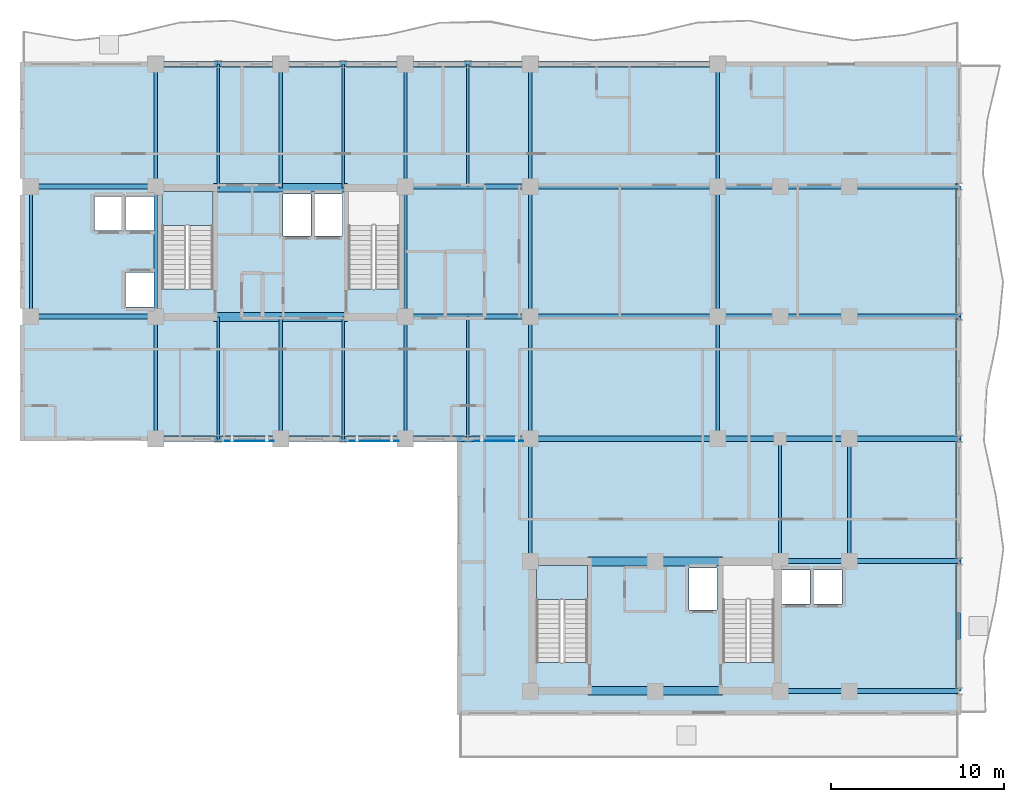
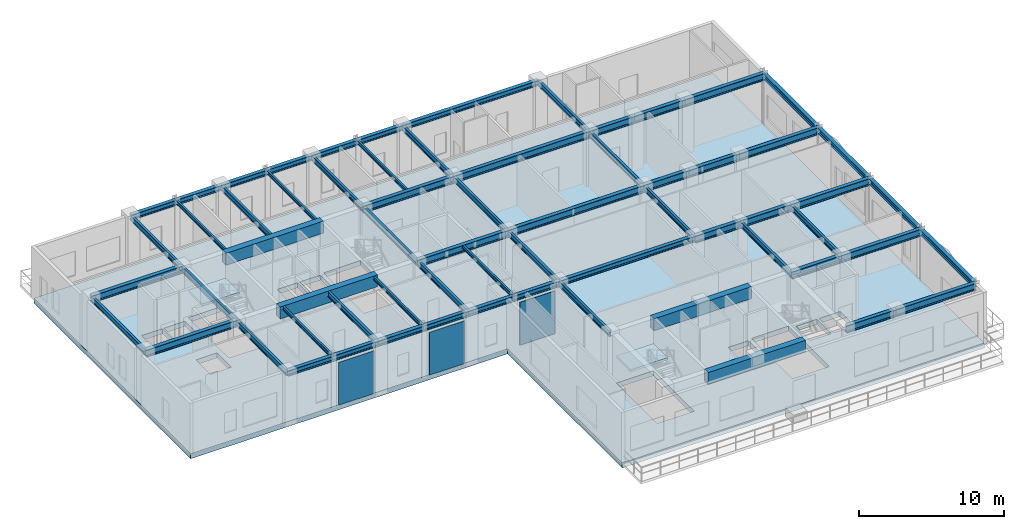
# One storey, part 4 of 14: 65 beams, 3 plates, 3 slabs, 2 elements without a shape of their own.
"""IFC4 building model written with IfcOpenShell, lengths in metres."""

import ifcopenshell
import ifcopenshell.guid

model = None  # the IFC model being written
_history = None  # IfcOwnerHistory: only IFC2X3 demands one
_inside = {}  # id of a spatial element -> (the spatial element, [elements in it])
_under = {}  # id of a project, library or spatial element -> (it, [spatial elements below it])
_declared = {}  # id of a project -> (the project, [libraries it declares])
_typed = {}  # id of a type object -> (the type object, [elements of that type])
_made_of = {}  # id of a material, layer set ... -> (it, [elements and type objects made of it])


def new_model(schema):
    """Start an empty IFC model of exactly this schema.

    Asked for "IFC4X3", IfcOpenShell would pick the latest addendum, in which some entities
    have other attributes; the version numbers below select the first issue.
    IFC2X3 requires an IfcOwnerHistory on every rooted entity: one is made here for all.
    """
    global model, _history
    if schema == "IFC4X3":
        model = ifcopenshell.file(schema_version=(4, 3, 0, 0))
    else:
        model = ifcopenshell.file(schema=schema)
    _inside.clear()
    _under.clear()
    _declared.clear()
    _typed.clear()
    _made_of.clear()
    _history = None
    if model.schema == "IFC2X3":
        org = make("IfcOrganization", Name="unknown")
        user = make(
            "IfcPersonAndOrganization",
            ThePerson=make("IfcPerson", FamilyName="unknown"),
            TheOrganization=org,
        )
        app = make(
            "IfcApplication",
            ApplicationDeveloper=org,
            Version="unknown",
            ApplicationFullName="unknown",
            ApplicationIdentifier="unknown",
        )
        _history = make(
            "IfcOwnerHistory",
            OwningUser=user,
            OwningApplication=app,
            ChangeAction="ADDED",
            CreationDate=0,
        )
    return model


def make(cls, **values):
    """One entity of the class cls with the attributes given. An attribute that is None is left unset."""
    return model.create_entity(
        cls, **{name: value for name, value in values.items() if value is not None}
    )


def rooted(cls, **values):
    """An entity with a GlobalId (a new one), such as an element, a storey or a relation."""
    return make(cls, GlobalId=ifcopenshell.guid.new(), OwnerHistory=_history, **values)


def si_unit(unit_type, name, prefix=None):
    """IfcSIUnit, for example si_unit("LENGTHUNIT", "METRE", prefix="MILLI")."""
    return make("IfcSIUnit", UnitType=unit_type, Prefix=prefix, Name=name)


def assignment(units):
    """IfcUnitAssignment: the units of a project."""
    return None if units is None else make("IfcUnitAssignment", Units=units)


def point(xyz):
    """IfcCartesianPoint."""
    return None if xyz is None else make("IfcCartesianPoint", Coordinates=xyz)


def direction(xyz):
    """IfcDirection."""
    return None if xyz is None else make("IfcDirection", DirectionRatios=xyz)


def frame(location, z_axis=None, x_axis=None):
    """IfcAxis2Placement3D, a coordinate frame: its origin and axes. An axis left out is left unset."""
    return make(
        "IfcAxis2Placement3D",
        Location=point(location),
        Axis=direction(z_axis),
        RefDirection=direction(x_axis),
    )


def frame_2d(location, x_axis=None):
    """IfcAxis2Placement2D, a coordinate frame in the plane: its origin and x axis."""
    return make(
        "IfcAxis2Placement2D", Location=point(location), RefDirection=direction(x_axis)
    )


def origin():
    """The frame at (0, 0, 0) with its axes left unset."""
    return frame((0.0, 0.0, 0.0))


def origin_2d():
    """The frame at (0, 0) in the plane with its x axis left unset."""
    return frame_2d((0.0, 0.0))


def place(relative_to, where):
    """IfcLocalPlacement: puts the frame where relative to a parent placement (None: the world)."""
    return make(
        "IfcLocalPlacement", PlacementRelTo=relative_to, RelativePlacement=where
    )


def context(
    kind, dimensions, precision=None, world=None, true_north=None, identifier=None
):
    """IfcGeometricRepresentationContext, for example the 3D "Model" context."""
    return make(
        "IfcGeometricRepresentationContext",
        ContextIdentifier=identifier,
        ContextType=kind,
        CoordinateSpaceDimension=dimensions,
        Precision=precision,
        WorldCoordinateSystem=world,
        TrueNorth=true_north,
    )


def subcontext(parent, identifier, kind, view, scale=None):
    """IfcGeometricRepresentationSubContext, for example "Body" below "Model"."""
    return make(
        "IfcGeometricRepresentationSubContext",
        ContextIdentifier=identifier,
        ContextType=kind,
        ParentContext=parent,
        TargetScale=scale,
        TargetView=view,
    )


def project(units=None, contexts=None):
    """IfcProject with its units and contexts."""
    return rooted(
        "IfcProject",
        Name="project",
        RepresentationContexts=contexts,
        UnitsInContext=assignment(units),
    )


def spatial(cls, under=None, at=None, **own):
    """A site, building, storey or space (cls), placed at a placement, below another one or the project."""
    s = rooted(cls, ObjectPlacement=at, **own)
    if under is not None:
        _under.setdefault(under.id(), (under, []))[1].append(s)
    return s


def polyline(points):
    """IfcPolyline through the points."""
    return make("IfcPolyline", Points=[point(p) for p in points])


def profile(cls, at=None, kind="AREA", **sizes):
    """A parametric profile (cls). Its sizes go by their IFC names, for example OverallWidth=200.0."""
    return make(cls, ProfileType=kind, Position=at, **sizes)


def rectangle(**sizes):
    """IfcRectangleProfileDef."""
    return profile("IfcRectangleProfileDef", **sizes)


def i_section(**sizes):
    """IfcIShapeProfileDef."""
    return profile("IfcIShapeProfileDef", **sizes)


def outline(outer, holes=None, kind="AREA"):
    """IfcArbitraryClosedProfileDef: a profile drawn as a closed curve; with holes, ...WithVoids."""
    if holes is None:
        return make("IfcArbitraryClosedProfileDef", ProfileType=kind, OuterCurve=outer)
    return make(
        "IfcArbitraryProfileDefWithVoids",
        ProfileType=kind,
        OuterCurve=outer,
        InnerCurves=holes,
    )


def extrude(swept, where, along, depth):
    """IfcExtrudedAreaSolid: the profile swept, set in the frame where, extruded along a direction by depth."""
    return make(
        "IfcExtrudedAreaSolid",
        SweptArea=swept,
        Position=where,
        ExtrudedDirection=direction(along),
        Depth=depth,
    )


def shape(context_of_items, identifier, shape_type, items):
    """IfcShapeRepresentation: the items that make up one representation, for example the "Body"."""
    return make(
        "IfcShapeRepresentation",
        ContextOfItems=context_of_items,
        RepresentationIdentifier=identifier,
        RepresentationType=shape_type,
        Items=items,
    )


def source(mapping_origin, context_of_items, identifier, shape_type, items):
    """IfcRepresentationMap: a shape defined once, which mapped items show again and again."""
    return make(
        "IfcRepresentationMap",
        MappingOrigin=mapping_origin,
        MappedRepresentation=shape(context_of_items, identifier, shape_type, items),
    )


def transform(
    local_origin,
    x_axis=None,
    y_axis=None,
    z_axis=None,
    scale=None,
    scale2=None,
    scale3=None,
    uniform=True,
):
    """IfcCartesianTransformationOperator3D, or its non-uniform kind. x_axis, y_axis, z_axis: its Axis1, 2, 3."""
    if uniform:
        return make(
            "IfcCartesianTransformationOperator3D",
            Axis1=direction(x_axis),
            Axis2=direction(y_axis),
            LocalOrigin=point(local_origin),
            Scale=scale,
            Axis3=direction(z_axis),
        )
    return make(
        "IfcCartesianTransformationOperator3DnonUniform",
        Axis1=direction(x_axis),
        Axis2=direction(y_axis),
        LocalOrigin=point(local_origin),
        Scale=scale,
        Axis3=direction(z_axis),
        Scale2=scale2,
        Scale3=scale3,
    )


def mapped(mapping_source, mapping_target):
    """IfcMappedItem: shows the shape of a source again, moved by a transform."""
    return make(
        "IfcMappedItem", MappingSource=mapping_source, MappingTarget=mapping_target
    )


def material(Name=None, Category=None):
    """IfcMaterial."""
    return make("IfcMaterial", Name=Name, Category=Category)


def layer(
    of_material, thickness, ventilated=None, Name=None, Category=None, Priority=None
):
    """IfcMaterialLayer: one layer of a wall or slab, of a material (None: an air gap)."""
    return make(
        "IfcMaterialLayer",
        Material=of_material,
        LayerThickness=thickness,
        IsVentilated=ventilated,
        Name=Name,
        Category=Category,
        Priority=Priority,
    )


def layer_set(layers, Name=None):
    """IfcMaterialLayerSet."""
    return make("IfcMaterialLayerSet", MaterialLayers=layers, LayerSetName=Name)


def material_profile(
    of_material, cross_section, Name=None, Category=None, Priority=None
):
    """IfcMaterialProfile: a cross section and its material."""
    return make(
        "IfcMaterialProfile",
        Name=Name,
        Material=of_material,
        Profile=cross_section,
        Priority=Priority,
        Category=Category,
    )


def profile_set(profiles, Name=None, composite=None):
    """IfcMaterialProfileSet."""
    return make(
        "IfcMaterialProfileSet",
        Name=Name,
        MaterialProfiles=profiles,
        CompositeProfile=composite,
    )


def made_of(thing, what):
    """Note that an element or type object is made of a material, layer set ...; save() writes the relation."""
    if what is not None:
        _made_of.setdefault(what.id(), (what, []))[1].append(thing)
    return thing


def type_object(cls, material=None, **own):
    """A type object (cls), such as IfcWallType, which elements share."""
    return made_of(rooted(cls, **own), material)


def element(
    cls,
    number,
    at=None,
    inside=None,
    cuts=None,
    type_object=None,
    material=None,
    context=None,
    identifier="Body",
    shape_type=None,
    held_by="IfcProductDefinitionShape",
    body=None,
    shapes=None,
    **own,
):
    """One element of the class cls, such as IfcWall. Its Tag is "e" and its number.

    at: its placement. inside: the storey or other place that contains it. cuts: it is an
    opening in that element (IfcRelVoidsElement). A single representation is given by context,
    identifier, shape_type and body (its items); several are given by shapes. held_by: the class
    of the entity that holds the representations. save() writes the other relations.
    """
    e = rooted(cls, Tag="e%d" % number, ObjectPlacement=at, **own)
    if body is not None:
        shapes = [shape(context, identifier, shape_type, body)]
    if shapes is not None:
        e.Representation = make(held_by, Representations=shapes)
    if inside is not None:
        _inside.setdefault(inside.id(), (inside, []))[1].append(e)
    if cuts is not None:
        rooted(
            "IfcRelVoidsElement", RelatingBuildingElement=cuts, RelatedOpeningElement=e
        )
    if type_object is not None:
        _typed.setdefault(type_object.id(), (type_object, []))[1].append(e)
    return made_of(e, material)


def aggregate(whole, parts):
    """IfcRelAggregates: a whole, such as a stair, and the parts it consists of."""
    return rooted("IfcRelAggregates", RelatingObject=whole, RelatedObjects=parts)


def save(model, path):
    """Write the relations noted so far, then the file.

    IfcRelAggregates (storeys below a building ...), IfcRelContainedInSpatialStructure (elements
    in a storey), IfcRelDefinesByType, IfcRelAssociatesMaterial and IfcRelDeclares: one each for
    every whole, place, type object, material and project.
    """
    for whole, parts in _under.values():
        aggregate(whole, parts)
    for where, things in _inside.values():
        rooted(
            "IfcRelContainedInSpatialStructure",
            RelatedElements=things,
            RelatingStructure=where,
        )
    for kind, things in _typed.values():
        rooted("IfcRelDefinesByType", RelatedObjects=things, RelatingType=kind)
    for what, things in _made_of.values():
        rooted("IfcRelAssociatesMaterial", RelatedObjects=things, RelatingMaterial=what)
    for by, libraries in _declared.values():
        rooted("IfcRelDeclares", RelatingContext=by, RelatedDefinitions=libraries)
    model.write(path)


model = new_model("IFC4")

# Units and contexts
model_context = context("Model", 3, precision=1e-05, world=origin(), true_north=direction((0.0, 1.0)))
body_context = subcontext(model_context, "Body", "Model", "MODEL_VIEW")
ifc_project = project(units=[si_unit("LENGTHUNIT", "METRE"), si_unit("AREAUNIT", "SQUARE_METRE"), si_unit("VOLUMEUNIT", "CUBIC_METRE"), si_unit("PLANEANGLEUNIT", "RADIAN"), si_unit("MASSUNIT", "GRAM", prefix="KILO")], contexts=[model_context])

# Site, building, storey
site_placement = place(None, origin())
site = spatial("IfcSite", under=ifc_project, at=site_placement, CompositionType="ELEMENT")
building_placement = place(site_placement, origin())
building = spatial("IfcBuilding", under=site, at=building_placement, Name="Kaliganga Portal Commons", CompositionType="ELEMENT")
storey_placement = place(building_placement, frame((0.0, 0.0, 197.199951171875)))
storey = spatial("IfcBuildingStorey", under=building, at=storey_placement, Name="L50", CompositionType="ELEMENT", Elevation=197.199951171875)

# Beams
ifc_material_1 = material(Name="Concrete C50/60", Category="concrete")
ifc_material_profile_1 = material_profile(ifc_material_1, rectangle(XDim=0.5, YDim=1.0, at=origin_2d()), Name="RC 500x1000")
ifc_profile_set_1 = profile_set([ifc_material_profile_1], Name="Concrete C50/60")
beam_type_1 = type_object("IfcBeamType", Name="BM-CPL-1000", PredefinedType="LINTEL", material=ifc_profile_set_1)
shared_shape_1 = source(origin(), body_context, "Body", "SweptSolid", [
    extrude(rectangle(XDim=0.5, YDim=1.0, at=origin_2d()), origin(), (0.0, 0.0, 1.0), 7.739990234375),
])
for number, where, z_axis, x_axis, name in (
    (1, (17.72998046875, 28.625, 3.8701171875), (1.0, 0.0, 0.0), (0.0, 1.0, 0.0), "BM CPL COREA L50 S"),
    (2, (17.72998046875, 36.074951171875, 3.8701171875), (1.0, 0.0, 0.0), (0.0, 1.0, 0.0), "BM CPL COREA L50 N"),
    (3, (39.330078125, 7.074951171875, 3.8701171875), (1.0, 0.0, 0.0), (0.0, 1.0, 0.0), "BM CPL COREB L50 S"),
    (4, (39.330078125, 14.52490234375, 3.8701171875), (1.0, 0.0, 0.0), (0.0, 1.0, 0.0), "BM CPL COREB L50 N"),
):
    element("IfcBeam", number, at=place(storey_placement, frame(where, z_axis=z_axis, x_axis=x_axis)), inside=storey, type_object=beam_type_1, Name=name, PredefinedType="LINTEL", context=body_context, shape_type="MappedRepresentation", body=[
        mapped(shared_shape_1, transform((0.0, 0.0, 0.0), x_axis=(1.0, 0.0, 0.0), y_axis=(0.0, 1.0, 0.0), z_axis=(0.0, 0.0, 1.0), scale=1.0)),
    ])
ifc_material_2 = material(Name="Structural steel S355J2", Category="steel")
ifc_material_profile_2 = material_profile(ifc_material_2, i_section(OverallWidth=0.300048828125, OverallDepth=0.449951171875, WebThickness=0.013916015625, FlangeThickness=0.02587890625, FilletRadius=0.027099609375, at=origin_2d()), Name="HE 450 B")
ifc_profile_set_2 = profile_set([ifc_material_profile_2], Name="Structural steel S355J2 wide-flange")
beam_type_2 = type_object("IfcBeamType", Name="BM-SPAND-450", PredefinedType="SPANDREL", material=ifc_profile_set_2)
shared_shape_2 = source(origin(), body_context, "Body", "SweptSolid", [
    extrude(i_section(OverallWidth=0.300048828125, OverallDepth=0.449951171875, WebThickness=0.013916015625, FlangeThickness=0.02587890625, FilletRadius=0.027099609375, at=origin_2d()), origin(), (0.0, 0.0, 1.0), 3.60009765625),
])
for number, where, z_axis, x_axis, name in (
    (5, (14.39990234375, 43.199951171875, 4.14501953125), (1.0, 0.0, 0.0), (0.0, 1.0, 0.0), "BM SP L50 AN 1"),
    (6, (18.0, 43.199951171875, 4.14501953125), (1.0, 0.0, 0.0), (0.0, 1.0, 0.0), "BM SP L50 AN 2"),
    (7, (25.199951171875, 43.199951171875, 4.14501953125), (1.0, 0.0, 0.0), (0.0, 1.0, 0.0), "BM SP L50 AN 4"),
    (8, (32.39990234375, 43.199951171875, 4.14501953125), (1.0, 0.0, 0.0), (0.0, 1.0, 0.0), "BM SP L50 AN 6"),
    (9, (14.39990234375, 21.60009765625, 4.14501953125), (1.0, 0.0, 0.0), (0.0, 1.0, 0.0), "BM SP L50 AS 1"),
    (10, (18.0, 21.60009765625, 4.14501953125), (1.0, 0.0, 0.0), (0.0, 1.0, 0.0), "BM SP L50 AS 2"),
    (11, (25.199951171875, 21.60009765625, 4.14501953125), (1.0, 0.0, 0.0), (0.0, 1.0, 0.0), "BM SP L50 AS 4"),
    (12, (32.39990234375, 21.60009765625, 4.14501953125), (1.0, 0.0, 0.0), (0.0, 1.0, 0.0), "BM SP L50 AS 6"),
):
    element("IfcBeam", number, at=place(storey_placement, frame(where, z_axis=z_axis, x_axis=x_axis)), inside=storey, type_object=beam_type_2, Name=name, PredefinedType="SPANDREL", context=body_context, shape_type="MappedRepresentation", body=[
        mapped(shared_shape_2, transform((0.0, 0.0, 0.0), x_axis=(1.0, 0.0, 0.0), y_axis=(0.0, 1.0, 0.0), z_axis=(0.0, 0.0, 1.0), scale=1.0)),
    ])
shared_shape_3 = source(origin(), body_context, "Body", "SweptSolid", [
    extrude(i_section(OverallWidth=0.300048828125, OverallDepth=0.449951171875, WebThickness=0.013916015625, FlangeThickness=0.02587890625, FilletRadius=0.027099609375, at=origin_2d()), origin(), (0.0, 0.0, 1.0), 3.599853515625),
])
for number, where, z_axis, x_axis, name in (
    (13, (21.60009765625, 43.199951171875, 4.14501953125), (1.0, 0.0, 0.0), (0.0, 1.0, 0.0), "BM SP L50 AN 3"),
    (14, (28.800048828125, 43.199951171875, 4.14501953125), (1.0, 0.0, 0.0), (0.0, 1.0, 0.0), "BM SP L50 AN 5"),
    (15, (21.60009765625, 21.60009765625, 4.14501953125), (1.0, 0.0, 0.0), (0.0, 1.0, 0.0), "BM SP L50 AS 3"),
    (16, (28.800048828125, 21.60009765625, 4.14501953125), (1.0, 0.0, 0.0), (0.0, 1.0, 0.0), "BM SP L50 AS 5"),
):
    element("IfcBeam", number, at=place(storey_placement, frame(where, z_axis=z_axis, x_axis=x_axis)), inside=storey, type_object=beam_type_2, Name=name, PredefinedType="SPANDREL", context=body_context, shape_type="MappedRepresentation", body=[
        mapped(shared_shape_3, transform((0.0, 0.0, 0.0), x_axis=(1.0, 0.0, 0.0), y_axis=(0.0, 1.0, 0.0), z_axis=(0.0, 0.0, 1.0), scale=1.0)),
    ])
shared_shape_4 = source(origin(), body_context, "Body", "SweptSolid", [
    extrude(i_section(OverallWidth=0.300048828125, OverallDepth=0.449951171875, WebThickness=0.013916015625, FlangeThickness=0.02587890625, FilletRadius=0.027099609375, at=origin_2d()), origin(), (0.0, 0.0, 1.0), 10.800048828125),
])
for number, where, z_axis, x_axis, name in (
    (17, (36.0, 43.199951171875, 4.14501953125), (1.0, 0.0, 0.0), (0.0, 1.0, 0.0), "BM SP L50 AN 7"),
    (18, (36.0, 21.60009765625, 4.14501953125), (1.0, 0.0, 0.0), (0.0, 1.0, 0.0), "BM SP L50 AS 7"),
):
    element("IfcBeam", number, at=place(storey_placement, frame(where, z_axis=z_axis, x_axis=x_axis)), inside=storey, type_object=beam_type_2, Name=name, PredefinedType="SPANDREL", context=body_context, shape_type="MappedRepresentation", body=[
        mapped(shared_shape_4, transform((0.0, 0.0, 0.0), x_axis=(1.0, 0.0, 0.0), y_axis=(0.0, 1.0, 0.0), z_axis=(0.0, 0.0, 1.0), scale=1.0)),
    ])
shared_shape_5 = source(origin(), body_context, "Body", "SweptSolid", [
    extrude(i_section(OverallWidth=0.300048828125, OverallDepth=0.449951171875, WebThickness=0.013916015625, FlangeThickness=0.02587890625, FilletRadius=0.027099609375, at=origin_2d()), origin(), (0.0, 0.0, 1.0), 7.5),
])
for number, where, z_axis, x_axis, name in (
    (19, (60.699951171875, 7.050048828125, 4.14501953125), (0.0, 1.0, 0.0), (-1.0, 0.0, 0.0), "BM SP L50 BE 1"),
    (20, (60.699951171875, 28.64990234375, 4.14501953125), (0.0, 1.0, 0.0), (-1.0, 0.0, 0.0), "BM SP L50 BE 4"),
):
    element("IfcBeam", number, at=place(storey_placement, frame(where, z_axis=z_axis, x_axis=x_axis)), inside=storey, type_object=beam_type_2, Name=name, PredefinedType="SPANDREL", context=body_context, shape_type="MappedRepresentation", body=[
        mapped(shared_shape_5, transform((0.0, 0.0, 0.0), x_axis=(1.0, 0.0, 0.0), y_axis=(0.0, 1.0, 0.0), z_axis=(0.0, 0.0, 1.0), scale=1.0)),
    ])
shared_shape_6 = source(origin(), body_context, "Body", "SweptSolid", [
    extrude(i_section(OverallWidth=0.300048828125, OverallDepth=0.449951171875, WebThickness=0.013916015625, FlangeThickness=0.02587890625, FilletRadius=0.027099609375, at=origin_2d()), origin(), (0.0, 0.0, 1.0), 7.050048828125),
])
beam_1_placement = place(storey_placement, frame((60.699951171875, 14.550048828125, 4.14501953125), z_axis=(0.0, 1.0, 0.0), x_axis=(-1.0, 0.0, 0.0)))
element("IfcBeam", 21, at=beam_1_placement, inside=storey, type_object=beam_type_2, Name="BM SP L50 BE 2", PredefinedType="SPANDREL", context=body_context, shape_type="MappedRepresentation", body=[
    mapped(shared_shape_6, transform((0.0, 0.0, 0.0), x_axis=(1.0, 0.0, 0.0), y_axis=(0.0, 1.0, 0.0), z_axis=(0.0, 0.0, 1.0), scale=1.0)),
])
shared_shape_7 = source(origin(), body_context, "Body", "SweptSolid", [
    extrude(i_section(OverallWidth=0.300048828125, OverallDepth=0.449951171875, WebThickness=0.013916015625, FlangeThickness=0.02587890625, FilletRadius=0.027099609375, at=origin_2d()), origin(), (0.0, 0.0, 1.0), 7.0498046875),
])
beam_2_placement = place(storey_placement, frame((60.699951171875, 21.60009765625, 4.14501953125), z_axis=(0.0, 1.0, 0.0), x_axis=(-1.0, 0.0, 0.0)))
element("IfcBeam", 22, at=beam_2_placement, inside=storey, type_object=beam_type_2, Name="BM SP L50 BE 3", PredefinedType="SPANDREL", context=body_context, shape_type="MappedRepresentation", body=[
    mapped(shared_shape_7, transform((0.0, 0.0, 0.0), x_axis=(1.0, 0.0, 0.0), y_axis=(0.0, 1.0, 0.0), z_axis=(0.0, 0.0, 1.0), scale=1.0)),
])
ifc_material_profile_3 = material_profile(ifc_material_2, i_section(OverallWidth=0.300048828125, OverallDepth=0.60009765625, WebThickness=0.015380859375, FlangeThickness=0.030029296875, FilletRadius=0.027099609375, at=origin_2d()), Name="HE 600 B")
ifc_profile_set_3 = profile_set([ifc_material_profile_3], Name="Structural steel S355J2 wide-flange")
beam_type_3 = type_object("IfcBeamType", Name="BM-GIRD-600", PredefinedType="USERDEFINED", material=ifc_profile_set_3)
shared_shape_8 = source(origin(), body_context, "Body", "SweptSolid", [
    extrude(i_section(OverallWidth=0.300048828125, OverallDepth=0.60009765625, WebThickness=0.015380859375, FlangeThickness=0.030029296875, FilletRadius=0.027099609375, at=origin_2d()), origin(), (0.0, 0.0, 1.0), 7.199951171875),
])
for number, where, z_axis, x_axis, name in (
    (23, (7.199951171875, 28.64990234375, 4.070068359375), (1.0, 0.0, 0.0), (0.0, 1.0, 0.0), "BM G L50 WAH_S 1"),
    (24, (7.199951171875, 36.14990234375, 4.070068359375), (1.0, 0.0, 0.0), (0.0, 1.0, 0.0), "BM G L50 WAH_N 1"),
    (25, (28.800048828125, 28.64990234375, 4.070068359375), (1.0, 0.0, 0.0), (0.0, 1.0, 0.0), "BM G L50 WAE_S 1"),
    (26, (28.800048828125, 36.14990234375, 4.070068359375), (1.0, 0.0, 0.0), (0.0, 1.0, 0.0), "BM G L50 WAE_N 1"),
):
    element("IfcBeam", number, at=place(storey_placement, frame(where, z_axis=z_axis, x_axis=x_axis)), inside=storey, type_object=beam_type_3, Name=name, ObjectType="GIRDER", PredefinedType="USERDEFINED", context=body_context, shape_type="MappedRepresentation", body=[
        mapped(shared_shape_8, transform((0.0, 0.0, 0.0), x_axis=(1.0, 0.0, 0.0), y_axis=(0.0, 1.0, 0.0), z_axis=(0.0, 0.0, 1.0), scale=1.0)),
    ])
shared_shape_9 = source(origin(), body_context, "Body", "SweptSolid", [
    extrude(i_section(OverallWidth=0.300048828125, OverallDepth=0.60009765625, WebThickness=0.015380859375, FlangeThickness=0.030029296875, FilletRadius=0.027099609375, at=origin_2d()), origin(), (0.0, 0.0, 1.0), 10.800048828125),
])
for number, where, z_axis, x_axis, name in (
    (27, (36.0, 28.64990234375, 4.070068359375), (1.0, 0.0, 0.0), (0.0, 1.0, 0.0), "BM G L50 WAE_S 2"),
    (28, (36.0, 36.14990234375, 4.070068359375), (1.0, 0.0, 0.0), (0.0, 1.0, 0.0), "BM G L50 WAE_N 2"),
):
    element("IfcBeam", number, at=place(storey_placement, frame(where, z_axis=z_axis, x_axis=x_axis)), inside=storey, type_object=beam_type_3, Name=name, ObjectType="GIRDER", PredefinedType="USERDEFINED", context=body_context, shape_type="MappedRepresentation", body=[
        mapped(shared_shape_9, transform((0.0, 0.0, 0.0), x_axis=(1.0, 0.0, 0.0), y_axis=(0.0, 1.0, 0.0), z_axis=(0.0, 0.0, 1.0), scale=1.0)),
    ])
shared_shape_10 = source(origin(), body_context, "Body", "SweptSolid", [
    extrude(i_section(OverallWidth=0.300048828125, OverallDepth=0.60009765625, WebThickness=0.015380859375, FlangeThickness=0.030029296875, FilletRadius=0.027099609375, at=origin_2d()), origin(), (0.0, 0.0, 1.0), 4.0),
])
for number, where, z_axis, x_axis, name in (
    (29, (50.39990234375, 7.050048828125, 4.070068359375), (1.0, 0.0, 0.0), (0.0, 1.0, 0.0), "BM G L50 BKE70 1"),
    (30, (50.39990234375, 14.550048828125, 4.070068359375), (1.0, 0.0, 0.0), (0.0, 1.0, 0.0), "BM G L50 BKE146 1"),
    (31, (50.39990234375, 21.60009765625, 4.070068359375), (1.0, 0.0, 0.0), (0.0, 1.0, 0.0), "BM G L50 BKE216 2"),
    (32, (50.39990234375, 28.64990234375, 4.070068359375), (1.0, 0.0, 0.0), (0.0, 1.0, 0.0), "BM G L50 BKE286 2"),
    (33, (50.39990234375, 36.14990234375, 4.070068359375), (1.0, 0.0, 0.0), (0.0, 1.0, 0.0), "BM G L50 BKE362 2"),
):
    element("IfcBeam", number, at=place(storey_placement, frame(where, z_axis=z_axis, x_axis=x_axis)), inside=storey, type_object=beam_type_3, Name=name, ObjectType="GIRDER", PredefinedType="USERDEFINED", context=body_context, shape_type="MappedRepresentation", body=[
        mapped(shared_shape_10, transform((0.0, 0.0, 0.0), x_axis=(1.0, 0.0, 0.0), y_axis=(0.0, 1.0, 0.0), z_axis=(0.0, 0.0, 1.0), scale=1.0)),
    ])
shared_shape_11 = source(origin(), body_context, "Body", "SweptSolid", [
    extrude(i_section(OverallWidth=0.300048828125, OverallDepth=0.60009765625, WebThickness=0.015380859375, FlangeThickness=0.030029296875, FilletRadius=0.027099609375, at=origin_2d()), origin(), (0.0, 0.0, 1.0), 3.599853515625),
])
for number, where, z_axis, x_axis, name in (
    (34, (46.800048828125, 21.60009765625, 4.070068359375), (1.0, 0.0, 0.0), (0.0, 1.0, 0.0), "BM G L50 BKE216 1"),
    (35, (46.800048828125, 28.64990234375, 4.070068359375), (1.0, 0.0, 0.0), (0.0, 1.0, 0.0), "BM G L50 BKE286 1"),
    (36, (46.800048828125, 36.14990234375, 4.070068359375), (1.0, 0.0, 0.0), (0.0, 1.0, 0.0), "BM G L50 BKE362 1"),
):
    element("IfcBeam", number, at=place(storey_placement, frame(where, z_axis=z_axis, x_axis=x_axis)), inside=storey, type_object=beam_type_3, Name=name, ObjectType="GIRDER", PredefinedType="USERDEFINED", context=body_context, shape_type="MappedRepresentation", body=[
        mapped(shared_shape_11, transform((0.0, 0.0, 0.0), x_axis=(1.0, 0.0, 0.0), y_axis=(0.0, 1.0, 0.0), z_axis=(0.0, 0.0, 1.0), scale=1.0)),
    ])
ifc_material_profile_4 = material_profile(ifc_material_2, i_section(OverallWidth=0.18994140625, OverallDepth=0.449951171875, WebThickness=0.009521484375, FlangeThickness=0.0146484375, FilletRadius=0.02099609375, at=origin_2d()), Name="IPE 450")
ifc_profile_set_4 = profile_set([ifc_material_profile_4], Name="Structural steel S355J2 wide-flange")
beam_type_4 = type_object("IfcBeamType", Name="BM-FLR-450", PredefinedType="BEAM", material=ifc_profile_set_4)
shared_shape_12 = source(origin(), body_context, "Body", "SweptSolid", [
    extrude(i_section(OverallWidth=0.18994140625, OverallDepth=0.449951171875, WebThickness=0.009521484375, FlangeThickness=0.0146484375, FilletRadius=0.02099609375, at=origin_2d()), origin(), (0.0, 0.0, 1.0), 7.5),
])
for number, where, z_axis, x_axis, name in (
    (37, (7.199951171875, 28.64990234375, 4.14501953125), (0.0, 1.0, 0.0), (-1.0, 0.0, 0.0), "BM G L50 AW72"),
    (38, (14.39990234375, 28.64990234375, 4.14501953125), (0.0, 1.0, 0.0), (-1.0, 0.0, 0.0), "BM G L50 AM144"),
    (39, (28.800048828125, 28.64990234375, 4.14501953125), (0.0, 1.0, 0.0), (-1.0, 0.0, 0.0), "BM G L50 AM288"),
    (40, (36.0, 28.64990234375, 4.14501953125), (0.0, 1.0, 0.0), (-1.0, 0.0, 0.0), "BM G L50 AM360"),
    (41, (46.800048828125, 28.64990234375, 4.14501953125), (0.0, 1.0, 0.0), (-1.0, 0.0, 0.0), "BM G L50 AM468"),
):
    element("IfcBeam", number, at=place(storey_placement, frame(where, z_axis=z_axis, x_axis=x_axis)), inside=storey, type_object=beam_type_4, Name=name, PredefinedType="BEAM", context=body_context, shape_type="MappedRepresentation", body=[
        mapped(shared_shape_12, transform((0.0, 0.0, 0.0), x_axis=(1.0, 0.0, 0.0), y_axis=(0.0, 1.0, 0.0), z_axis=(0.0, 0.0, 1.0), scale=1.0)),
    ])
shared_shape_13 = source(origin(), body_context, "Body", "SweptSolid", [
    extrude(i_section(OverallWidth=0.18994140625, OverallDepth=0.449951171875, WebThickness=0.009521484375, FlangeThickness=0.0146484375, FilletRadius=0.02099609375, at=origin_2d()), origin(), (0.0, 0.0, 1.0), 7.050048828125),
])
for number, where, z_axis, x_axis, name in (
    (42, (14.39990234375, 36.14990234375, 4.14501953125), (0.0, 1.0, 0.0), (-1.0, 0.0, 0.0), "BM G L50 AN144"),
    (43, (28.800048828125, 36.14990234375, 4.14501953125), (0.0, 1.0, 0.0), (-1.0, 0.0, 0.0), "BM G L50 AN288"),
    (44, (36.0, 36.14990234375, 4.14501953125), (0.0, 1.0, 0.0), (-1.0, 0.0, 0.0), "BM G L50 AN360"),
    (45, (46.800048828125, 36.14990234375, 4.14501953125), (0.0, 1.0, 0.0), (-1.0, 0.0, 0.0), "BM G L50 AN468"),
    (46, (36.0, 14.550048828125, 4.14501953125), (0.0, 1.0, 0.0), (-1.0, 0.0, 0.0), "BM G L50 BNK360"),
    (47, (50.39990234375, 14.550048828125, 4.14501953125), (0.0, 1.0, 0.0), (-1.0, 0.0, 0.0), "BM G L50 BNK504"),
    (48, (54.39990234375, 14.550048828125, 4.14501953125), (0.0, 1.0, 0.0), (-1.0, 0.0, 0.0), "BM G L50 BNK544"),
):
    element("IfcBeam", number, at=place(storey_placement, frame(where, z_axis=z_axis, x_axis=x_axis)), inside=storey, type_object=beam_type_4, Name=name, PredefinedType="BEAM", context=body_context, shape_type="MappedRepresentation", body=[
        mapped(shared_shape_13, transform((0.0, 0.0, 0.0), x_axis=(1.0, 0.0, 0.0), y_axis=(0.0, 1.0, 0.0), z_axis=(0.0, 0.0, 1.0), scale=1.0)),
    ])
shared_shape_14 = source(origin(), body_context, "Body", "SweptSolid", [
    extrude(i_section(OverallWidth=0.18994140625, OverallDepth=0.449951171875, WebThickness=0.009521484375, FlangeThickness=0.0146484375, FilletRadius=0.02099609375, at=origin_2d()), origin(), (0.0, 0.0, 1.0), 7.0498046875),
])
for number, where, z_axis, x_axis, name in (
    (49, (14.39990234375, 21.60009765625, 4.14501953125), (0.0, 1.0, 0.0), (-1.0, 0.0, 0.0), "BM G L50 AS144"),
    (50, (28.800048828125, 21.60009765625, 4.14501953125), (0.0, 1.0, 0.0), (-1.0, 0.0, 0.0), "BM G L50 AS288"),
    (51, (36.0, 21.60009765625, 4.14501953125), (0.0, 1.0, 0.0), (-1.0, 0.0, 0.0), "BM G L50 AS360"),
    (52, (46.800048828125, 21.60009765625, 4.14501953125), (0.0, 1.0, 0.0), (-1.0, 0.0, 0.0), "BM G L50 AS468"),
):
    element("IfcBeam", number, at=place(storey_placement, frame(where, z_axis=z_axis, x_axis=x_axis)), inside=storey, type_object=beam_type_4, Name=name, PredefinedType="BEAM", context=body_context, shape_type="MappedRepresentation", body=[
        mapped(shared_shape_14, transform((0.0, 0.0, 0.0), x_axis=(1.0, 0.0, 0.0), y_axis=(0.0, 1.0, 0.0), z_axis=(0.0, 0.0, 1.0), scale=1.0)),
    ])
ifc_material_profile_5 = material_profile(ifc_material_2, i_section(OverallWidth=0.14990234375, OverallDepth=0.300048828125, WebThickness=0.007080078125, FlangeThickness=0.0107421875, FilletRadius=0.014892578125, at=origin_2d()), Name="IPE 300")
ifc_profile_set_5 = profile_set([ifc_material_profile_5], Name="Structural steel S355J2 wide-flange")
beam_type_5 = type_object("IfcBeamType", Name="BM-JST-300", PredefinedType="JOIST", material=ifc_profile_set_5)
shared_shape_15 = source(origin(), body_context, "Body", "SweptSolid", [
    extrude(i_section(OverallWidth=0.14990234375, OverallDepth=0.300048828125, WebThickness=0.007080078125, FlangeThickness=0.0107421875, FilletRadius=0.014892578125, at=origin_2d()), origin(), (0.0, 0.0, 1.0), 7.125),
])
for number, where, z_axis, x_axis, name in (
    (53, (18.0, 36.074951171875, 4.219970703125), (0.0, 1.0, 0.0), (-1.0, 0.0, 0.0), "BM G L50 AN180"),
    (54, (25.199951171875, 36.074951171875, 4.219970703125), (0.0, 1.0, 0.0), (-1.0, 0.0, 0.0), "BM G L50 AN252"),
):
    element("IfcBeam", number, at=place(storey_placement, frame(where, z_axis=z_axis, x_axis=x_axis)), inside=storey, type_object=beam_type_5, Name=name, PredefinedType="JOIST", context=body_context, shape_type="MappedRepresentation", body=[
        mapped(shared_shape_15, transform((0.0, 0.0, 0.0), x_axis=(1.0, 0.0, 0.0), y_axis=(0.0, 1.0, 0.0), z_axis=(0.0, 0.0, 1.0), scale=1.0)),
    ])
shared_shape_16 = source(origin(), body_context, "Body", "SweptSolid", [
    extrude(i_section(OverallWidth=0.14990234375, OverallDepth=0.300048828125, WebThickness=0.007080078125, FlangeThickness=0.0107421875, FilletRadius=0.014892578125, at=origin_2d()), origin(), (0.0, 0.0, 1.0), 7.02490234375),
])
for number, where, z_axis, x_axis, name in (
    (55, (18.0, 21.60009765625, 4.219970703125), (0.0, 1.0, 0.0), (-1.0, 0.0, 0.0), "BM G L50 AS180"),
    (56, (25.199951171875, 21.60009765625, 4.219970703125), (0.0, 1.0, 0.0), (-1.0, 0.0, 0.0), "BM G L50 AS252"),
):
    element("IfcBeam", number, at=place(storey_placement, frame(where, z_axis=z_axis, x_axis=x_axis)), inside=storey, type_object=beam_type_5, Name=name, PredefinedType="JOIST", context=body_context, shape_type="MappedRepresentation", body=[
        mapped(shared_shape_16, transform((0.0, 0.0, 0.0), x_axis=(1.0, 0.0, 0.0), y_axis=(0.0, 1.0, 0.0), z_axis=(0.0, 0.0, 1.0), scale=1.0)),
    ])
shared_shape_17 = source(origin(), body_context, "Body", "SweptSolid", [
    extrude(i_section(OverallWidth=0.18994140625, OverallDepth=0.449951171875, WebThickness=0.009521484375, FlangeThickness=0.0146484375, FilletRadius=0.02099609375, at=origin_2d()), origin(), (0.0, 0.0, 1.0), 7.125),
])
beam_3_placement = place(storey_placement, frame((21.60009765625, 36.074951171875, 4.14501953125), z_axis=(0.0, 1.0, 0.0), x_axis=(-1.0, 0.0, 0.0)))
element("IfcBeam", 57, at=beam_3_placement, inside=storey, type_object=beam_type_4, Name="BM G L50 AN216", PredefinedType="BEAM", context=body_context, shape_type="MappedRepresentation", body=[
    mapped(shared_shape_17, transform((0.0, 0.0, 0.0), x_axis=(1.0, 0.0, 0.0), y_axis=(0.0, 1.0, 0.0), z_axis=(0.0, 0.0, 1.0), scale=1.0)),
])
shared_shape_18 = source(origin(), body_context, "Body", "SweptSolid", [
    extrude(i_section(OverallWidth=0.18994140625, OverallDepth=0.449951171875, WebThickness=0.009521484375, FlangeThickness=0.0146484375, FilletRadius=0.02099609375, at=origin_2d()), origin(), (0.0, 0.0, 1.0), 7.02490234375),
])
beam_4_placement = place(storey_placement, frame((21.60009765625, 21.60009765625, 4.14501953125), z_axis=(0.0, 1.0, 0.0), x_axis=(-1.0, 0.0, 0.0)))
element("IfcBeam", 58, at=beam_4_placement, inside=storey, type_object=beam_type_4, Name="BM G L50 AS216", PredefinedType="BEAM", context=body_context, shape_type="MappedRepresentation", body=[
    mapped(shared_shape_18, transform((0.0, 0.0, 0.0), x_axis=(1.0, 0.0, 0.0), y_axis=(0.0, 1.0, 0.0), z_axis=(0.0, 0.0, 1.0), scale=1.0)),
])
shared_shape_19 = source(origin(), body_context, "Body", "SweptSolid", [
    extrude(i_section(OverallWidth=0.14990234375, OverallDepth=0.300048828125, WebThickness=0.007080078125, FlangeThickness=0.0107421875, FilletRadius=0.014892578125, at=origin_2d()), origin(), (0.0, 0.0, 1.0), 7.050048828125),
])
beam_5_placement = place(storey_placement, frame((32.39990234375, 36.14990234375, 4.219970703125), z_axis=(0.0, 1.0, 0.0), x_axis=(-1.0, 0.0, 0.0)))
element("IfcBeam", 59, at=beam_5_placement, inside=storey, type_object=beam_type_5, Name="BM G L50 AN324", PredefinedType="JOIST", context=body_context, shape_type="MappedRepresentation", body=[
    mapped(shared_shape_19, transform((0.0, 0.0, 0.0), x_axis=(1.0, 0.0, 0.0), y_axis=(0.0, 1.0, 0.0), z_axis=(0.0, 0.0, 1.0), scale=1.0)),
])
shared_shape_20 = source(origin(), body_context, "Body", "SweptSolid", [
    extrude(i_section(OverallWidth=0.14990234375, OverallDepth=0.300048828125, WebThickness=0.007080078125, FlangeThickness=0.0107421875, FilletRadius=0.014892578125, at=origin_2d()), origin(), (0.0, 0.0, 1.0), 7.0498046875),
])
beam_6_placement = place(storey_placement, frame((32.39990234375, 21.60009765625, 4.219970703125), z_axis=(0.0, 1.0, 0.0), x_axis=(-1.0, 0.0, 0.0)))
element("IfcBeam", 60, at=beam_6_placement, inside=storey, type_object=beam_type_5, Name="BM G L50 AS324", PredefinedType="JOIST", context=body_context, shape_type="MappedRepresentation", body=[
    mapped(shared_shape_20, transform((0.0, 0.0, 0.0), x_axis=(1.0, 0.0, 0.0), y_axis=(0.0, 1.0, 0.0), z_axis=(0.0, 0.0, 1.0), scale=1.0)),
])
shared_shape_21 = source(origin(), body_context, "Body", "SweptSolid", [
    extrude(i_section(OverallWidth=0.300048828125, OverallDepth=0.60009765625, WebThickness=0.015380859375, FlangeThickness=0.030029296875, FilletRadius=0.027099609375, at=origin_2d()), origin(), (0.0, 0.0, 1.0), 6.300048828125),
])
for number, where, z_axis, x_axis, name in (
    (61, (54.39990234375, 7.050048828125, 4.070068359375), (1.0, 0.0, 0.0), (0.0, 1.0, 0.0), "BM G L50 BKE70 2"),
    (62, (54.39990234375, 14.550048828125, 4.070068359375), (1.0, 0.0, 0.0), (0.0, 1.0, 0.0), "BM G L50 BKE146 2"),
    (63, (54.39990234375, 21.60009765625, 4.070068359375), (1.0, 0.0, 0.0), (0.0, 1.0, 0.0), "BM G L50 BKE216 3"),
    (64, (54.39990234375, 28.64990234375, 4.070068359375), (1.0, 0.0, 0.0), (0.0, 1.0, 0.0), "BM G L50 BKE286 3"),
    (65, (54.39990234375, 36.14990234375, 4.070068359375), (1.0, 0.0, 0.0), (0.0, 1.0, 0.0), "BM G L50 BKE362 3"),
):
    element("IfcBeam", number, at=place(storey_placement, frame(where, z_axis=z_axis, x_axis=x_axis)), inside=storey, type_object=beam_type_3, Name=name, ObjectType="GIRDER", PredefinedType="USERDEFINED", context=body_context, shape_type="MappedRepresentation", body=[
        mapped(shared_shape_21, transform((0.0, 0.0, 0.0), x_axis=(1.0, 0.0, 0.0), y_axis=(0.0, 1.0, 0.0), z_axis=(0.0, 0.0, 1.0), scale=1.0)),
    ])

# Stair, slab
ifc_material_3 = material(Name="Concrete C40/50", Category="concrete")
stair_type = type_object("IfcStairType", Name="ST-CORE-DOGLEG", PredefinedType="HALF_TURN_STAIR", material=ifc_material_3)
stair_1_placement = place(storey_placement, origin())
stair_1 = element("IfcStair", 66, at=stair_1_placement, inside=storey, type_object=stair_type, Name="L50 Protected Exit Stair ST-A1", PredefinedType="HALF_TURN_STAIR")
ifc_layer_1 = layer(ifc_material_3, 0.199951171875)
ifc_layer_set_1 = layer_set([ifc_layer_1], Name="Concrete C40/50")
slab_type_1 = type_object("IfcSlabType", Name="SLB-STAIR-LND", PredefinedType="LANDING", material=ifc_layer_set_1)
slab_1_placement = place(storey_placement, frame((0.0, 0.0, 2.10009765625)))
slab_1 = element("IfcSlab", 67, at=slab_1_placement, type_object=slab_type_1, Name="ST-A1 landing 1", PredefinedType="LANDING", context=body_context, shape_type="SweptSolid", body=[
    extrude(outline(polyline([(17.699951171875, 33.889892578125), (17.699951171875, 35.85009765625), (14.75, 35.85009765625), (14.75, 33.889892578125), (17.699951171875, 33.889892578125)])), origin(), (0.0, 0.0, 1.0), 0.199951171875),
])
aggregate(stair_1, [slab_1])

stair_2_placement = place(storey_placement, origin())
stair_2 = element("IfcStair", 68, at=stair_2_placement, inside=storey, type_object=stair_type, Name="L50 Protected Exit Stair ST-B1", PredefinedType="HALF_TURN_STAIR")
slab_2_placement = place(storey_placement, frame((0.0, 0.0, 2.10009765625)))
slab_2 = element("IfcSlab", 69, at=slab_2_placement, type_object=slab_type_1, Name="ST-B1 landing 1", PredefinedType="LANDING", context=body_context, shape_type="SweptSolid", body=[
    extrude(outline(polyline([(39.300048828125, 12.340087890625), (39.300048828125, 14.300048828125), (36.35009765625, 14.300048828125), (36.35009765625, 12.340087890625), (39.300048828125, 12.340087890625)])), origin(), (0.0, 0.0, 1.0), 0.199951171875),
])
aggregate(stair_2, [slab_2])

# Slab
ifc_material_4 = material(Name="Concrete C60/75", Category="concrete")
ifc_layer_2 = layer(ifc_material_4, 0.419921875)
ifc_layer_set_2 = layer_set([ifc_layer_2], Name="Concrete C60/75")
slab_type_2 = type_object("IfcSlabType", Name="SLB-XFER-420", PredefinedType="FLOOR", material=ifc_layer_set_2)
slab_3_placement = place(storey_placement, frame((0.0, 0.0, -0.419921875)))
element("IfcSlab", 70, at=slab_3_placement, inside=storey, type_object=slab_type_2, Name="Structural Floor Slab L50", PredefinedType="FLOOR", context=body_context, shape_type="SweptSolid", body=[
    extrude(outline(polyline([(31.89990234375, 5.800048828125), (60.699951171875, 5.800048828125), (60.699951171875, 43.199951171875), (6.699951171875, 43.199951171875), (6.699951171875, 21.60009765625), (31.89990234375, 21.60009765625), (31.89990234375, 5.800048828125)]), holes=[polyline([(14.75, 30.25390625), (14.75, 35.85009765625), (17.699951171875, 35.85009765625), (17.699951171875, 30.25390625), (14.75, 30.25390625)]), polyline([(25.5, 30.25390625), (25.5, 35.85009765625), (28.449951171875, 35.85009765625), (28.449951171875, 30.25390625), (25.5, 30.25390625)]), polyline([(36.35009765625, 8.7041015625), (36.35009765625, 14.300048828125), (39.300048828125, 14.300048828125), (39.300048828125, 8.7041015625), (36.35009765625, 8.7041015625)]), polyline([(47.10009765625, 8.7041015625), (47.10009765625, 14.300048828125), (50.050048828125, 14.300048828125), (50.050048828125, 8.7041015625), (47.10009765625, 8.7041015625)]), polyline([(12.6650390625, 33.614990234375), (12.6650390625, 35.5849609375), (14.3349609375, 35.5849609375), (14.3349609375, 33.614990234375), (12.6650390625, 33.614990234375)]), polyline([(12.6650390625, 29.215087890625), (12.6650390625, 31.18505859375), (14.3349609375, 31.18505859375), (14.3349609375, 29.215087890625), (12.6650390625, 29.215087890625)]), polyline([(10.864990234375, 33.614990234375), (10.864990234375, 35.5849609375), (12.534912109375, 35.5849609375), (12.534912109375, 33.614990234375), (10.864990234375, 33.614990234375)]), polyline([(21.739990234375, 33.2900390625), (21.739990234375, 35.7099609375), (23.360107421875, 35.7099609375), (23.360107421875, 33.2900390625), (21.739990234375, 33.2900390625)]), polyline([(23.5400390625, 33.2900390625), (23.5400390625, 35.7099609375), (25.159912109375, 35.7099609375), (25.159912109375, 33.2900390625), (23.5400390625, 33.2900390625)]), polyline([(50.465087890625, 12.06494140625), (50.465087890625, 14.034912109375), (52.135009765625, 14.034912109375), (52.135009765625, 12.06494140625), (50.465087890625, 12.06494140625)]), polyline([(52.31494140625, 12.06494140625), (52.31494140625, 14.034912109375), (53.985107421875, 14.034912109375), (53.985107421875, 12.06494140625), (52.31494140625, 12.06494140625)]), polyline([(45.139892578125, 11.739990234375), (45.139892578125, 14.159912109375), (46.760009765625, 14.159912109375), (46.760009765625, 11.739990234375), (45.139892578125, 11.739990234375)])]), origin(), (0.0, 0.0, 1.0), 0.419921875),
])

# Plates
ifc_material_5 = material(Name="Perforated Terracotta Monsoon Baguette Screen", Category="masonry")
ifc_layer_3 = layer(ifc_material_5, 0.034912109375)
ifc_layer_set_3 = layer_set([ifc_layer_3], Name="Perforated Terracotta Monsoon Baguette Screen")
plate_type = type_object("IfcPlateType", Name="PLT-CER-35", PredefinedType="USERDEFINED", material=ifc_layer_set_3)
shared_shape_22 = source(origin(), body_context, "Body", "SweptSolid", [
    extrude(rectangle(XDim=2.800048828125, YDim=0.034912109375, at=origin_2d()), origin(), (0.0, 0.0, 1.0), 3.590087890625),
])
for number, where, z_axis, x_axis, name in (
    (71, (19.800048828125, 21.47998046875, 0.080078125), (0.0, 0.0, 1.0), (1.0, 0.0, 0.0), "Perforated Solar Screen L50-S1"),
    (72, (27.0, 21.47998046875, 0.080078125), (0.0, 0.0, 1.0), (1.0, 0.0, 0.0), "Perforated Solar Screen L50-S2"),
    (73, (34.199951171875, 21.47998046875, 0.080078125), (0.0, 0.0, 1.0), (1.0, 0.0, 0.0), "Perforated Solar Screen L50-S3"),
):
    element("IfcPlate", number, at=place(storey_placement, frame(where, z_axis=z_axis, x_axis=x_axis)), inside=storey, type_object=plate_type, Name=name, ObjectType="SOLAR SCREEN", PredefinedType="USERDEFINED", context=body_context, shape_type="MappedRepresentation", body=[
        mapped(shared_shape_22, transform((0.0, 0.0, 0.0), x_axis=(1.0, 0.0, 0.0), y_axis=(0.0, 1.0, 0.0), z_axis=(0.0, 0.0, 1.0), scale=1.0)),
    ])

save(model, "model.ifc")
